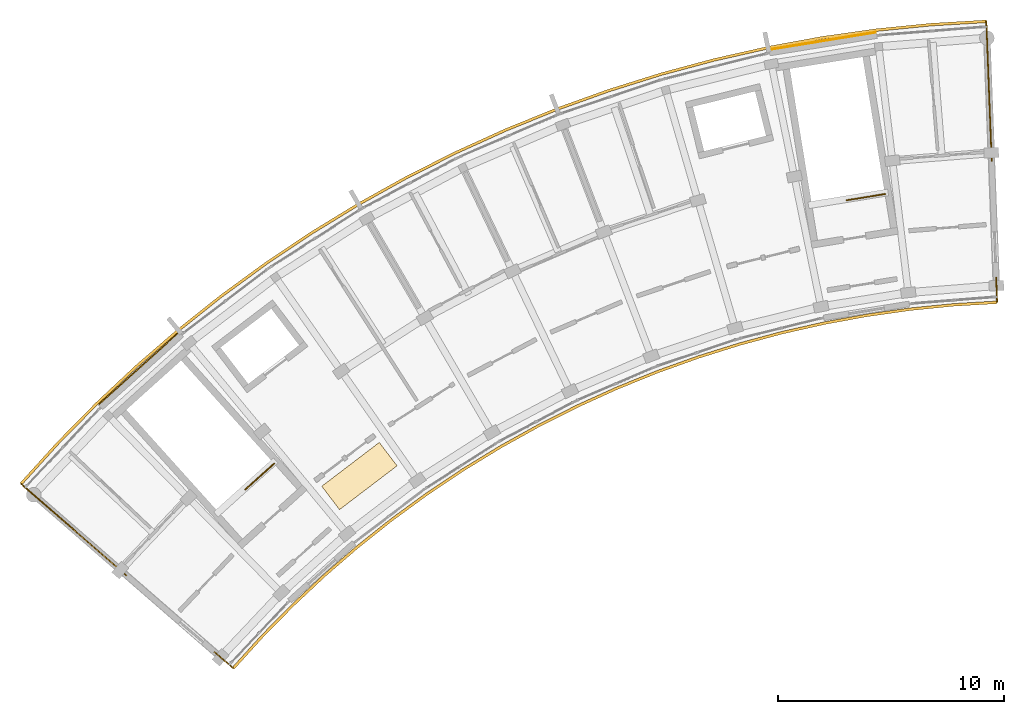
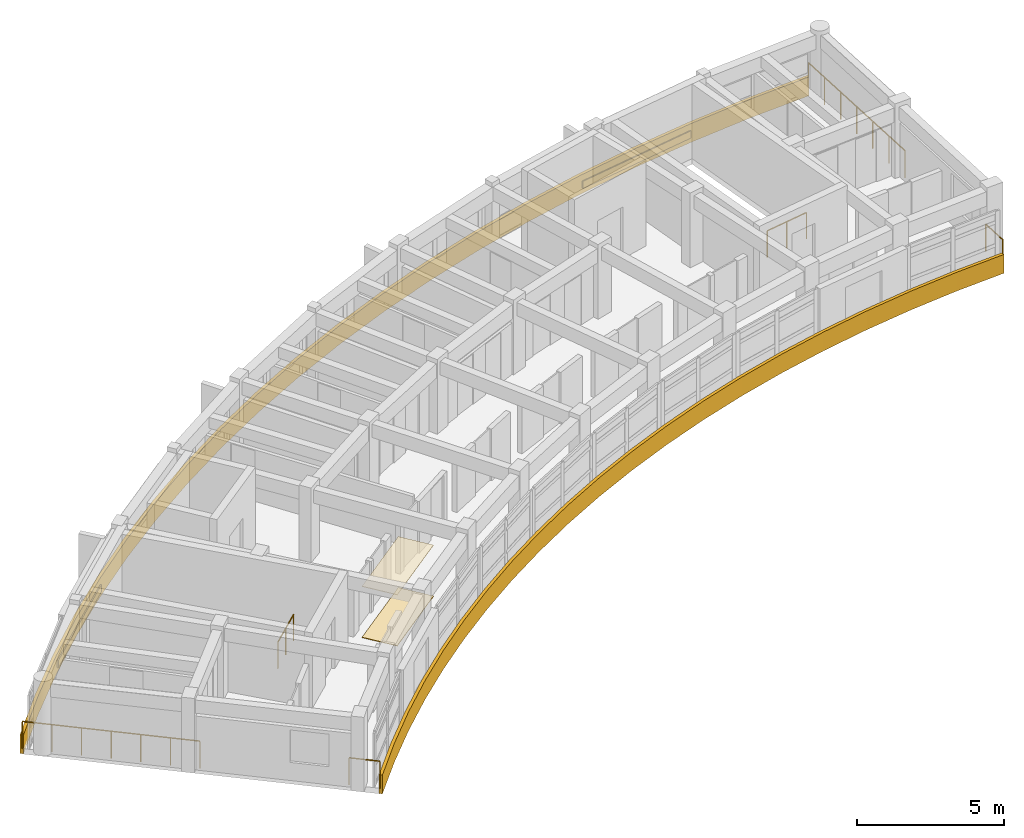
# One storey, part 11 of 11: 8 railings, 4 coverings.
"""IFC4 building model written with IfcOpenShell, lengths in metres."""

from ifc_helpers import new_model, si_unit, direction, frame, origin, origin_2d, place, context, subcontext, project, spatial, polyline, rectangle, circle, outline, extrude, material, layer, layer_set, type_object, element, save


model = new_model("IFC4")

# Units and contexts
model_context = context("Model", 3, precision=1e-05, world=origin(), true_north=direction((0.0, 1.0)))
body_context = subcontext(model_context, "Body", "Model", "MODEL_VIEW")
ifc_project = project(units=[si_unit("LENGTHUNIT", "METRE"), si_unit("AREAUNIT", "SQUARE_METRE"), si_unit("VOLUMEUNIT", "CUBIC_METRE"), si_unit("PLANEANGLEUNIT", "RADIAN"), si_unit("MASSUNIT", "GRAM", prefix="KILO")], contexts=[model_context])

# Site, building, storey
site_placement = place(None, origin())
site = spatial("IfcSite", under=ifc_project, at=site_placement, CompositionType="ELEMENT")
building_placement = place(site_placement, origin())
building = spatial("IfcBuilding", under=site, at=building_placement, Name="Zimvara Arc Housing Community", CompositionType="ELEMENT")
storey_placement = place(building_placement, frame((0.0, 0.0, 42.199951171875)))
storey = spatial("IfcBuildingStorey", under=building, at=storey_placement, Name="L13", CompositionType="ELEMENT", Elevation=42.199951171875)

# Coverings
ifc_material_1 = material(Name="Pale-Gold Anodised Aluminium Cladding", Category="aluminium")
ifc_layer_1 = layer(ifc_material_1, 0.0400390625)
ifc_layer_set_1 = layer_set([ifc_layer_1], Name="Pale-Gold Anodised Aluminium Cladding")
covering_type_1 = type_object("IfcCoveringType", Name="CLD-GOLD-01", PredefinedType="CLADDING", material=ifc_layer_set_1)
covering_1_placement = place(storey_placement, frame((35.470458984375, 103.20751953125, 0.01025390625), z_axis=(0.0, 0.0, 1.0), x_axis=(0.987080395872, 0.160225753504, 0.0)))
element("IfcCovering", 1, at=covering_1_placement, inside=storey, type_object=covering_type_1, Name="cld:blkA:L13:out:b8", PredefinedType="CLADDING", context=body_context, shape_type="SweptSolid", body=[
    extrude(rectangle(XDim=4.748779296875, YDim=0.0400390625, at=origin_2d()), origin(), (0.0, 0.0, 1.0), 0.300048828125),
])
ifc_material_2 = material(Name="Pale-Gold Anodised Aluminium Cladding", Category="aluminium")
ifc_layer_2 = layer(ifc_material_2, 0.044921875)
ifc_layer_set_2 = layer_set([ifc_layer_2], Name="Pale-Gold Anodised Aluminium Cladding")
covering_type_2 = type_object("IfcCoveringType", Name="CLD-GOLD-02", PredefinedType="CLADDING", material=ifc_layer_set_2)
covering_2_placement = place(storey_placement, frame((5.212158203125, 88.719970703125, 0.01025390625), z_axis=(0.0, 0.0, 1.0), x_axis=(0.74337718344, 0.668872456557, 0.0)))
element("IfcCovering", 2, at=covering_2_placement, inside=storey, type_object=covering_type_2, Name="cld:blkA:L13:out:b1", PredefinedType="CLADDING", context=body_context, shape_type="SweptSolid", body=[
    extrude(rectangle(XDim=4.748779296875, YDim=0.044921875, at=origin_2d()), origin(), (0.0, 0.0, 1.0), 0.300048828125),
])
ifc_material_3 = material(Name="Perforated Acoustic Ceiling Board")
ifc_layer_3 = layer(ifc_material_3, 0.02197265625)
ifc_layer_set_3 = layer_set([ifc_layer_3], Name="Perforated Acoustic Ceiling Board")
covering_type_3 = type_object("IfcCoveringType", Name="COV-CEIL-02", PredefinedType="CEILING", material=ifc_layer_set_3)
covering_3_placement = place(storey_placement, frame((14.974853515625, 83.959228515625, 2.1181640625), z_axis=(0.0, 0.0, 1.0), x_axis=(-0.605988400266, 0.795473480855, 0.0)))
element("IfcCovering", 3, at=covering_3_placement, inside=storey, type_object=covering_type_3, Name="ceil:blkA:L13", PredefinedType="CEILING", context=body_context, shape_type="SweptSolid", body=[
    extrude(rectangle(XDim=1.300048828125, YDim=3.199951171875, at=origin_2d()), origin(), (0.0, 0.0, 1.0), 0.02197265625),
])
ifc_material_4 = material(Name="Polished Coastal Sand Terrazzo")
ifc_layer_4 = layer(ifc_material_4, 0.02392578125)
ifc_layer_set_4 = layer_set([ifc_layer_4], Name="Polished Coastal Sand Terrazzo")
covering_type_4 = type_object("IfcCoveringType", Name="COV-FLOR-02", PredefinedType="FLOORING", material=ifc_layer_set_4)
covering_4_placement = place(storey_placement, frame((14.974853515625, 83.959228515625, 0.0), z_axis=(0.0, 0.0, 1.0), x_axis=(-0.605988400266, 0.795473480855, 0.0)))
element("IfcCovering", 4, at=covering_4_placement, inside=storey, type_object=covering_type_4, Name="flor:blkA:L13", PredefinedType="FLOORING", context=body_context, shape_type="SweptSolid", body=[
    extrude(rectangle(XDim=1.300048828125, YDim=3.199951171875, at=origin_2d()), origin(), (0.0, 0.0, 1.0), 0.02392578125),
])

# Railings
ifc_material_5 = material(Name="Anodised Aluminium AW-6063", Category="aluminium")
railing_type_1 = type_object("IfcRailingType", Name="RLG-BAL-1120", PredefinedType="BALUSTRADE", material=ifc_material_5)
railing_1_placement = place(storey_placement, frame((11.20361328125, 84.5126953125, 0.0)))
element("IfcRailing", 5, at=railing_1_placement, inside=storey, type_object=railing_type_1, Name="L13 ST-A1 top well guard 1", PredefinedType="BALUSTRADE", context=body_context, shape_type="SweptSolid", body=[
    extrude(circle(Radius=0.02392578125, at=origin_2d()), frame((0.0, 0.0, 1.09619140625), z_axis=(-0.743385896218, -0.668862773149, 0.0), x_axis=(0.668862773149, -0.743385896218, 0.0)), (0.0, 0.0, 1.0), 1.719970703125),
    extrude(circle(Radius=0.02099609375, at=origin_2d()), origin(), (0.0, 0.0, 1.0), 1.072021484375),
    extrude(circle(Radius=0.02099609375, at=origin_2d()), frame((-0.63916015625, -0.5751953125, 0.0)), (0.0, 0.0, 1.0), 1.072021484375),
    extrude(circle(Radius=0.02099609375, at=origin_2d()), frame((-1.278564453125, -1.150390625, 0.0)), (0.0, 0.0, 1.0), 1.072021484375),
])
railing_2_placement = place(storey_placement, frame((38.23095703125, 96.4365234375, 0.0)))
element("IfcRailing", 6, at=railing_2_placement, inside=storey, type_object=railing_type_1, Name="L13 ST-A2 top well guard 1", PredefinedType="BALUSTRADE", context=body_context, shape_type="SweptSolid", body=[
    extrude(circle(Radius=0.02392578125, at=origin_2d()), frame((0.0, 0.0, 1.09619140625), z_axis=(-0.987075758678, -0.1602543186, 0.0), x_axis=(0.1602543186, -0.987075758678, 0.0)), (0.0, 0.0, 1.0), 1.719970703125),
    extrude(circle(Radius=0.02099609375, at=origin_2d()), origin(), (0.0, 0.0, 1.0), 1.072021484375),
    extrude(circle(Radius=0.02099609375, at=origin_2d()), frame((-0.848876953125, -0.1376953125, 0.0)), (0.0, 0.0, 1.0), 1.072021484375),
    extrude(circle(Radius=0.02099609375, at=origin_2d()), frame((-1.69775390625, -0.275634765625, 0.0)), (0.0, 0.0, 1.0), 1.072021484375),
])
ifc_material_6 = material(Name="Anodised Aluminium AW-6063", Category="aluminium")
railing_type_2 = type_object("IfcRailingType", Name="RLG-BAL-1150", PredefinedType="BALUSTRADE", material=ifc_material_6)
railing_3_placement = place(storey_placement, frame((9.377685546875, 75.466064453125, 0.0)))
element("IfcRailing", 7, at=railing_3_placement, inside=storey, type_object=railing_type_2, Name="rlg:blkA:L13:gable_in:g0", PredefinedType="BALUSTRADE", context=body_context, shape_type="SweptSolid", body=[
    extrude(circle(Radius=0.02392578125, at=origin_2d()), frame((0.0, 0.0, 1.1259765625), z_axis=(-0.75477095777, 0.655988415528, 0.0), x_axis=(-0.655988415528, -0.75477095777, 0.0)), (0.0, 0.0, 1.0), 1.080078125),
    extrude(circle(Radius=0.02099609375, at=origin_2d()), origin(), (0.0, 0.0, 1.0), 1.101806640625),
    extrude(circle(Radius=0.02099609375, at=origin_2d()), frame((-0.815185546875, 0.70849609375, 0.0)), (0.0, 0.0, 1.0), 1.101806640625),
])
railing_4_placement = place(storey_placement, frame((4.668212890625, 79.559814453125, 0.0)))
element("IfcRailing", 8, at=railing_4_placement, inside=storey, type_object=railing_type_2, Name="rlg:blkA:L13:gable_out:g0", PredefinedType="BALUSTRADE", context=body_context, shape_type="SweptSolid", body=[
    extrude(circle(Radius=0.02392578125, at=origin_2d()), frame((0.0, 0.0, 1.1259765625), z_axis=(-0.754708757217, 0.656059975749, 0.0), x_axis=(-0.656059975749, -0.754708757217, 0.0)), (0.0, 0.0, 1.0), 6.159912109375),
    extrude(circle(Radius=0.02099609375, at=origin_2d()), origin(), (0.0, 0.0, 1.0), 1.101806640625),
    extrude(circle(Radius=0.02099609375, at=origin_2d()), frame((-0.77490234375, 0.673583984375, 0.0)), (0.0, 0.0, 1.0), 1.101806640625),
    extrude(circle(Radius=0.02099609375, at=origin_2d()), frame((-1.549560546875, 1.34716796875, 0.0)), (0.0, 0.0, 1.0), 1.101806640625),
    extrude(circle(Radius=0.02099609375, at=origin_2d()), frame((-2.324462890625, 2.0205078125, 0.0)), (0.0, 0.0, 1.0), 1.101806640625),
    extrude(circle(Radius=0.02099609375, at=origin_2d()), frame((-3.099365234375, 2.694091796875, 0.0)), (0.0, 0.0, 1.0), 1.101806640625),
    extrude(circle(Radius=0.02099609375, at=origin_2d()), frame((-3.8740234375, 3.36767578125, 0.0)), (0.0, 0.0, 1.0), 1.101806640625),
    extrude(circle(Radius=0.02099609375, at=origin_2d()), frame((-4.64892578125, 4.041259765625, 0.0)), (0.0, 0.0, 1.0), 1.101806640625),
])
railing_5_placement = place(storey_placement, frame((43.18798828125, 91.665283203125, 0.0)))
element("IfcRailing", 9, at=railing_5_placement, inside=storey, type_object=railing_type_2, Name="rlg:blkA:L13:gable_in:gN", PredefinedType="BALUSTRADE", context=body_context, shape_type="SweptSolid", body=[
    extrude(circle(Radius=0.02392578125, at=origin_2d()), frame((0.0, 0.0, 1.1259765625), z_axis=(-0.038207375916, 0.99926983164, 0.0), x_axis=(-0.99926983164, -0.038207375916, 0.0)), (0.0, 0.0, 1.0), 1.079833984375),
    extrude(circle(Radius=0.02099609375, at=origin_2d()), origin(), (0.0, 0.0, 1.0), 1.101806640625),
    extrude(circle(Radius=0.02099609375, at=origin_2d()), frame((-0.041259765625, 1.0791015625, 0.0)), (0.0, 0.0, 1.0), 1.101806640625),
])
railing_6_placement = place(storey_placement, frame((42.948486328125, 97.900634765625, 0.0)))
element("IfcRailing", 10, at=railing_6_placement, inside=storey, type_object=railing_type_2, Name="rlg:blkA:L13:gable_out:gN", PredefinedType="BALUSTRADE", context=body_context, shape_type="SweptSolid", body=[
    extrude(circle(Radius=0.02392578125, at=origin_2d()), frame((0.0, 0.0, 1.1259765625), z_axis=(-0.038364627964, 0.99926380667, 0.0), x_axis=(-0.99926380667, -0.038364627964, 0.0)), (0.0, 0.0, 1.0), 6.16015625),
    extrude(circle(Radius=0.02099609375, at=origin_2d()), origin(), (0.0, 0.0, 1.0), 1.101806640625),
    extrude(circle(Radius=0.02099609375, at=origin_2d()), frame((-0.039306640625, 1.02587890625, 0.0)), (0.0, 0.0, 1.0), 1.101806640625),
    extrude(circle(Radius=0.02099609375, at=origin_2d()), frame((-0.078857421875, 2.0517578125, 0.0)), (0.0, 0.0, 1.0), 1.101806640625),
    extrude(circle(Radius=0.02099609375, at=origin_2d()), frame((-0.1181640625, 3.07763671875, 0.0)), (0.0, 0.0, 1.0), 1.101806640625),
    extrude(circle(Radius=0.02099609375, at=origin_2d()), frame((-0.157470703125, 4.103759765625, 0.0)), (0.0, 0.0, 1.0), 1.101806640625),
    extrude(circle(Radius=0.02099609375, at=origin_2d()), frame((-0.197021484375, 5.129638671875, 0.0)), (0.0, 0.0, 1.0), 1.101806640625),
    extrude(circle(Radius=0.02099609375, at=origin_2d()), frame((-0.236328125, 6.155517578125, 0.0)), (0.0, 0.0, 1.0), 1.101806640625),
])
ifc_material_7 = material(Name="Pale-Gold Anodised Aluminium AW-6063", Category="aluminium")
railing_type_3 = type_object("IfcRailingType", Name="RLG-FAS-780", PredefinedType="BALUSTRADE", material=ifc_material_7)
railing_7_placement = place(storey_placement, frame((0.0, 0.0, -0.219970703125)))
element("IfcRailing", 11, at=railing_7_placement, inside=storey, type_object=railing_type_3, Name="rlg:blkA:L13:gold_out", PredefinedType="BALUSTRADE", context=body_context, shape_type="SweptSolid", body=[
    extrude(outline(polyline([(0.049560546875, 83.574951171875), (1.682373046875, 85.377685546875), (3.387451171875, 87.112060546875), (5.162109375, 88.775634765625), (7.0029296875, 90.365234375), (8.9072265625, 91.87841796875), (10.871826171875, 93.3125), (12.893310546875, 94.665283203125), (14.96826171875, 95.934326171875), (17.09326171875, 97.11767578125), (19.264892578125, 98.213134765625), (21.4794921875, 99.218994140625), (23.733154296875, 100.1337890625), (26.0224609375, 100.955810546875), (28.34326171875, 101.68359375), (30.692138671875, 102.31591796875), (33.064453125, 102.851806640625), (35.45703125, 103.29052734375), (37.865234375, 103.631103515625), (40.28564453125, 103.873046875), (42.713623046875, 104.01611328125), (42.708984375, 104.135986328125), (40.276123046875, 103.99267578125), (37.850830078125, 103.750244140625), (35.437744140625, 103.408935546875), (33.04052734375, 102.969482421875), (30.6630859375, 102.432373046875), (28.309814453125, 101.798583984375), (25.984375, 101.069580078125), (23.6904296875, 100.245849609375), (21.43212890625, 99.329345703125), (19.213134765625, 98.3212890625), (17.037109375, 97.2236328125), (14.90771484375, 96.037841796875), (12.82861328125, 94.766357421875), (10.802978515625, 93.410888671875), (8.834716796875, 91.973876953125), (6.926513671875, 90.457763671875), (5.081787109375, 88.86474609375), (3.3037109375, 87.197998046875), (1.59521484375, 85.4599609375), (-0.041015625, 83.653564453125), (0.049560546875, 83.574951171875)])), origin(), (0.0, 0.0, 1.0), 0.780029296875),
])
railing_8_placement = place(storey_placement, frame((0.0, 0.0, -0.219970703125)))
element("IfcRailing", 12, at=railing_8_placement, inside=storey, type_object=railing_type_3, Name="rlg:blkA:L13:gold_in", PredefinedType="BALUSTRADE", context=body_context, shape_type="SweptSolid", body=[
    extrude(outline(polyline([(9.43798828125, 75.41357421875), (10.72998046875, 76.839599609375), (12.078857421875, 78.2119140625), (13.48291015625, 79.528076171875), (14.939208984375, 80.78564453125), (16.44580078125, 81.982666015625), (18.0, 83.1171875), (19.599365234375, 84.1875), (21.240966796875, 85.19140625), (22.922119140625, 86.127685546875), (24.64013671875, 86.994384765625), (26.39208984375, 87.790283203125), (28.175048828125, 88.513916015625), (29.986328125, 89.1640625), (31.822265625, 89.73974609375), (33.680419921875, 90.240234375), (35.557373046875, 90.664306640625), (37.4501953125, 91.01123046875), (39.35546875, 91.28076171875), (41.270263671875, 91.47216796875), (43.191162109375, 91.585205078125), (43.1865234375, 91.705078125), (41.2607421875, 91.591796875), (39.341064453125, 91.39990234375), (37.430908203125, 91.129638671875), (35.533447265625, 90.78173828125), (33.651611328125, 90.356689453125), (31.788818359375, 89.85498046875), (29.947998046875, 89.27783203125), (28.13232421875, 88.6259765625), (26.3447265625, 87.900390625), (24.58837890625, 87.1025390625), (22.865966796875, 86.233642578125), (21.180419921875, 85.295166015625), (19.53466796875, 84.28857421875), (17.93115234375, 83.215576171875), (16.373046875, 82.078125), (14.86279296875, 80.8779296875), (13.402587890625, 79.6171875), (11.9951171875, 78.2978515625), (10.642578125, 76.922119140625), (9.347412109375, 75.4921875), (9.43798828125, 75.41357421875)])), origin(), (0.0, 0.0, 1.0), 0.780029296875),
])

save(model, "model.ifc")
